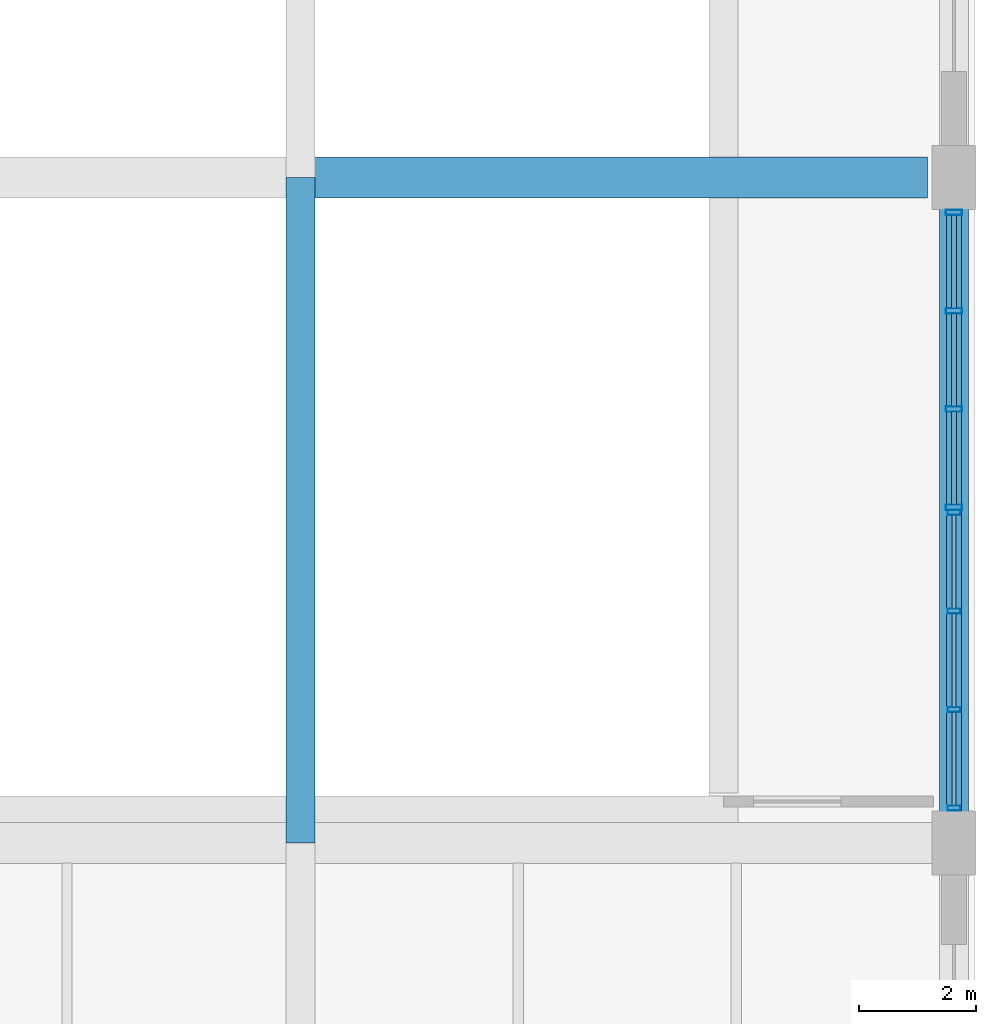
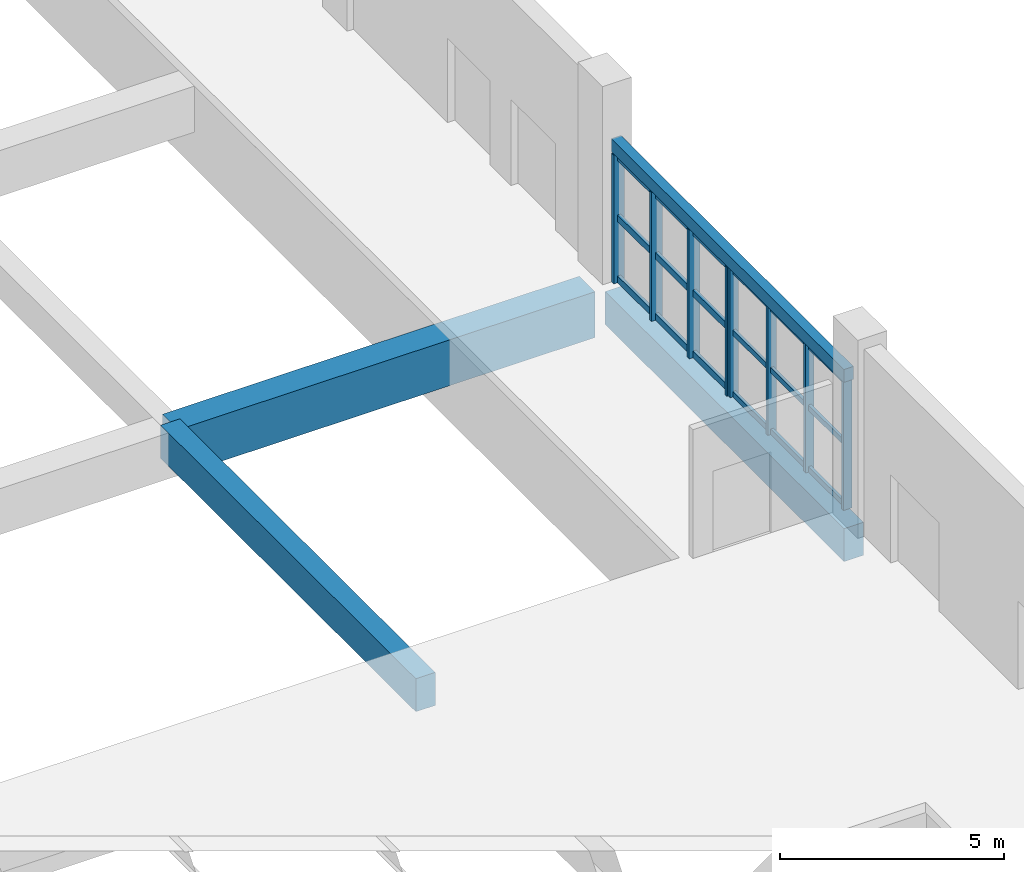
# One storey, part 62 of 113: 26 members, 4 beams, 2 elements without a shape of their own.
"""IFC4 building model written with IfcOpenShell, lengths in metres."""

from ifc_helpers import new_model, si_unit, direction, frame, origin, origin_2d, place, context, subcontext, project, spatial, rectangle, hollow_rectangle, extrude, material, layer, layer_set, material_profile, profile_set, type_object, element, aggregate, save


model = new_model("IFC4")

# Units and contexts
model_context = context("Model", 3, precision=1e-05, world=origin(), true_north=direction((0.0, 1.0)))
body_context = subcontext(model_context, "Body", "Model", "MODEL_VIEW")
ifc_project = project(units=[si_unit("LENGTHUNIT", "METRE"), si_unit("AREAUNIT", "SQUARE_METRE"), si_unit("VOLUMEUNIT", "CUBIC_METRE"), si_unit("PLANEANGLEUNIT", "RADIAN"), si_unit("MASSUNIT", "GRAM", prefix="KILO"), si_unit("POWERUNIT", "WATT"), si_unit("THERMODYNAMICTEMPERATUREUNIT", "KELVIN")], contexts=[model_context])

# Site, building, storey
site_placement = place(None, origin())
site = spatial("IfcSite", under=ifc_project, at=site_placement, CompositionType="ELEMENT")
building_placement = place(site_placement, origin())
building = spatial("IfcBuilding", under=site, at=building_placement, Name="Kelmbourne Parkland Aquatics Centre", CompositionType="ELEMENT")
storey_placement = place(building_placement, origin())
storey = spatial("IfcBuildingStorey", under=building, at=storey_placement, Name="L00", CompositionType="ELEMENT", Elevation=0.0)

# Beams
ifc_material_1 = material(Name="Concrete C40/50", Category="concrete")
ifc_material_profile_1 = material_profile(ifc_material_1, rectangle(XDim=0.5, YDim=0.89990234375, at=origin_2d()), Name="RC 500x900")
ifc_profile_set_1 = profile_set([ifc_material_profile_1], Name="Concrete C40/50")
beam_type_1 = type_object("IfcBeamType", Name="BM-G03", PredefinedType="BEAM", material=ifc_profile_set_1)
beam_1_placement = place(storey_placement, frame((164.0, 35.0, -0.72998046875), z_axis=(0.0, 1.0, 0.0), x_axis=(-1.0, 0.0, 0.0)))
element("IfcBeam", 1, at=beam_1_placement, inside=storey, type_object=beam_type_1, Name="Primary girder 05-06 Grid S (L00)", PredefinedType="BEAM", context=body_context, shape_type="SweptSolid", body=[
    extrude(rectangle(XDim=0.5, YDim=0.89990234375, at=origin_2d()), origin(), (0.0, 0.0, 1.0), 11.39990234375),
])
beam_2_placement = place(storey_placement, frame((175.199951171875, 35.280029296875, -0.72998046875), z_axis=(0.0, 1.0, 0.0), x_axis=(-1.0, 0.0, 0.0)))
element("IfcBeam", 2, at=beam_2_placement, inside=storey, type_object=beam_type_1, Name="Primary girder 05-06 Grid T (L00)", PredefinedType="BEAM", context=body_context, shape_type="SweptSolid", body=[
    extrude(rectangle(XDim=0.5, YDim=0.89990234375, at=origin_2d()), origin(), (0.0, 0.0, 1.0), 10.6650390625),
])
ifc_material_2 = material(Name="Concrete C50/60", Category="concrete")
ifc_material_profile_2 = material_profile(ifc_material_2, rectangle(XDim=0.699951171875, YDim=1.25, at=origin_2d()), Name="RC 700x1250")
ifc_profile_set_2 = profile_set([ifc_material_profile_2], Name="Concrete C50/60")
beam_type_2 = type_object("IfcBeamType", Name="BM-G08", PredefinedType="BEAM", material=ifc_profile_set_2)
beam_3_placement = place(storey_placement, frame((164.0, 46.39990234375, -0.905029296875), z_axis=(1.0, 0.0, 0.0), x_axis=(0.0, 1.0, 0.0)))
element("IfcBeam", 3, at=beam_3_placement, inside=storey, type_object=beam_type_2, Name="Primary girder S-T Grid 06 (L00)", PredefinedType="BEAM", context=body_context, shape_type="SweptSolid", body=[
    extrude(rectangle(XDim=0.699951171875, YDim=1.25, at=origin_2d()), origin(), (0.0, 0.0, 1.0), 10.7451171875),
])
ifc_material_3 = material(Name="Structural steel AS/NZS 3679.1 Grade 300", Category="steel")
ifc_material_profile_3 = material_profile(ifc_material_3, rectangle(XDim=0.25, YDim=0.35009765625, at=origin_2d()), Name="LNT 250x350")
ifc_profile_set_3 = profile_set([ifc_material_profile_3], Name="Structural steel AS/NZS 3679.1 Grade 300")
beam_type_3 = type_object("IfcBeamType", Name="BM-LN01", PredefinedType="LINTEL", material=ifc_profile_set_3)
beam_4_placement = place(storey_placement, frame((175.199951171875, 35.5048828125, 3.699951171875), z_axis=(0.0, 1.0, 0.0), x_axis=(-1.0, 0.0, 0.0)))
element("IfcBeam", 4, at=beam_4_placement, inside=storey, type_object=beam_type_3, Name="Masonry opening lintel E-06", PredefinedType="LINTEL", context=body_context, shape_type="SweptSolid", body=[
    extrude(rectangle(XDim=0.25, YDim=0.35009765625, at=origin_2d()), origin(), (0.0, 0.0, 1.0), 10.39013671875),
])

# Curtain wall, members
ifc_material_4 = material(Name="Thermally broken anodised aluminium framing", Category="aluminium")
ifc_layer_1 = layer(ifc_material_4, 0.179931640625)
ifc_layer_set_1 = layer_set([ifc_layer_1], Name="Thermally broken anodised aluminium framing")
curtain_wall_type_1 = type_object("IfcCurtainWallType", Name="CW-13", PredefinedType="NOTDEFINED", material=ifc_layer_set_1)
curtain_wall_1_placement = place(storey_placement, origin())
curtain_wall_1 = element("IfcCurtainWall", 5, at=curtain_wall_1_placement, inside=storey, type_object=curtain_wall_type_1, Name="Facade curtain wall CW-L00-037", PredefinedType="NOTDEFINED")
ifc_material_profile_4 = material_profile(ifc_material_4, hollow_rectangle(XDim=0.0849609375, YDim=0.219970703125, WallThickness=0.0048828125, at=origin_2d()), Name="CW-M 85x220")
ifc_profile_set_4 = profile_set([ifc_material_profile_4], Name="Thermally broken anodised aluminium framing")
member_type_1 = type_object("IfcMemberType", Name="MB-MUL-3", PredefinedType="MULLION", material=ifc_profile_set_4)
member_1_placement = place(storey_placement, frame((175.199951171875, 35.594482421875, 0.0), z_axis=(0.0, 0.0, 1.0), x_axis=(0.0, 1.0, 0.0)))
member_1 = element("IfcMember", 6, at=member_1_placement, type_object=member_type_1, Name="CW-L00-037 mullion 0", PredefinedType="MULLION", context=body_context, shape_type="SweptSolid", body=[
    extrude(hollow_rectangle(XDim=0.0849609375, YDim=0.219970703125, WallThickness=0.0048828125, at=origin_2d()), origin(), (0.0, 0.0, 1.0), 3.510009765625),
])
member_2_placement = place(storey_placement, frame((175.199951171875, 37.2822265625, 0.0), z_axis=(0.0, 0.0, 1.0), x_axis=(0.0, 1.0, 0.0)))
member_2 = element("IfcMember", 7, at=member_2_placement, type_object=member_type_1, Name="CW-L00-037 mullion 1", PredefinedType="MULLION", context=body_context, shape_type="SweptSolid", body=[
    extrude(hollow_rectangle(XDim=0.0849609375, YDim=0.219970703125, WallThickness=0.0048828125, at=origin_2d()), origin(), (0.0, 0.0, 1.0), 3.510009765625),
])
member_3_placement = place(storey_placement, frame((175.199951171875, 38.9697265625, 0.0), z_axis=(0.0, 0.0, 1.0), x_axis=(0.0, 1.0, 0.0)))
member_3 = element("IfcMember", 8, at=member_3_placement, type_object=member_type_1, Name="CW-L00-037 mullion 2", PredefinedType="MULLION", context=body_context, shape_type="SweptSolid", body=[
    extrude(hollow_rectangle(XDim=0.0849609375, YDim=0.219970703125, WallThickness=0.0048828125, at=origin_2d()), origin(), (0.0, 0.0, 1.0), 3.510009765625),
])
member_4_placement = place(storey_placement, frame((175.199951171875, 40.657470703125, 0.0), z_axis=(0.0, 0.0, 1.0), x_axis=(0.0, 1.0, 0.0)))
member_4 = element("IfcMember", 9, at=member_4_placement, type_object=member_type_1, Name="CW-L00-037 mullion 3", PredefinedType="MULLION", context=body_context, shape_type="SweptSolid", body=[
    extrude(hollow_rectangle(XDim=0.0849609375, YDim=0.219970703125, WallThickness=0.0048828125, at=origin_2d()), origin(), (0.0, 0.0, 1.0), 3.510009765625),
])

ifc_layer_2 = layer(ifc_material_4, 0.179931640625)
ifc_layer_set_2 = layer_set([ifc_layer_2], Name="Thermally broken anodised aluminium framing")
curtain_wall_type_2 = type_object("IfcCurtainWallType", Name="CW-14", PredefinedType="NOTDEFINED", material=ifc_layer_set_2)
curtain_wall_2_placement = place(storey_placement, origin())
curtain_wall_2 = element("IfcCurtainWall", 10, at=curtain_wall_2_placement, inside=storey, type_object=curtain_wall_type_2, Name="Facade curtain wall CW-L00-038", PredefinedType="NOTDEFINED")
ifc_material_profile_5 = material_profile(ifc_material_4, hollow_rectangle(XDim=0.094970703125, YDim=0.280029296875, WallThickness=0.005615234375, at=origin_2d()), Name="CW-M 95x280")
ifc_profile_set_5 = profile_set([ifc_material_profile_5], Name="Thermally broken anodised aluminium framing")
member_type_2 = type_object("IfcMemberType", Name="MB-MUL-4", PredefinedType="MULLION", material=ifc_profile_set_5)
member_5_placement = place(storey_placement, frame((175.199951171875, 40.74755859375, 0.0), z_axis=(0.0, 0.0, 1.0), x_axis=(0.0, 1.0, 0.0)))
member_5 = element("IfcMember", 11, at=member_5_placement, type_object=member_type_2, Name="CW-L00-038 mullion 0", PredefinedType="MULLION", context=body_context, shape_type="SweptSolid", body=[
    extrude(hollow_rectangle(XDim=0.094970703125, YDim=0.280029296875, WallThickness=0.005615234375, at=origin_2d()), origin(), (0.0, 0.0, 1.0), 3.510009765625),
])
member_6_placement = place(storey_placement, frame((175.199951171875, 42.431884765625, 0.0), z_axis=(0.0, 0.0, 1.0), x_axis=(0.0, 1.0, 0.0)))
member_6 = element("IfcMember", 12, at=member_6_placement, type_object=member_type_2, Name="CW-L00-038 mullion 1", PredefinedType="MULLION", context=body_context, shape_type="SweptSolid", body=[
    extrude(hollow_rectangle(XDim=0.094970703125, YDim=0.280029296875, WallThickness=0.005615234375, at=origin_2d()), origin(), (0.0, 0.0, 1.0), 3.510009765625),
])
member_7_placement = place(storey_placement, frame((175.199951171875, 44.1162109375, 0.0), z_axis=(0.0, 0.0, 1.0), x_axis=(0.0, 1.0, 0.0)))
member_7 = element("IfcMember", 13, at=member_7_placement, type_object=member_type_2, Name="CW-L00-038 mullion 2", PredefinedType="MULLION", context=body_context, shape_type="SweptSolid", body=[
    extrude(hollow_rectangle(XDim=0.094970703125, YDim=0.280029296875, WallThickness=0.005615234375, at=origin_2d()), origin(), (0.0, 0.0, 1.0), 3.510009765625),
])
member_8_placement = place(storey_placement, frame((175.199951171875, 45.800537109375, 0.0), z_axis=(0.0, 0.0, 1.0), x_axis=(0.0, 1.0, 0.0)))
member_8 = element("IfcMember", 14, at=member_8_placement, type_object=member_type_2, Name="CW-L00-038 mullion 3", PredefinedType="MULLION", context=body_context, shape_type="SweptSolid", body=[
    extrude(hollow_rectangle(XDim=0.094970703125, YDim=0.280029296875, WallThickness=0.005615234375, at=origin_2d()), origin(), (0.0, 0.0, 1.0), 3.510009765625),
])

# Member
ifc_material_profile_6 = material_profile(ifc_material_4, hollow_rectangle(XDim=0.074951171875, YDim=0.14990234375, WallThickness=0.00390625, at=origin_2d()), Name="CW-T 75x150")
ifc_profile_set_6 = profile_set([ifc_material_profile_6], Name="Thermally broken anodised aluminium framing")
member_type_3 = type_object("IfcMemberType", Name="MB-TRN-2", PredefinedType="USERDEFINED", material=ifc_profile_set_6)
member_9_placement = place(storey_placement, frame((175.199951171875, 35.633056640625, 0.077880859375), z_axis=(0.0, 1.0, 0.0), x_axis=(-1.0, 0.0, 0.0)))
member_9 = element("IfcMember", 15, at=member_9_placement, type_object=member_type_3, Name="CW-L00-037 transom 0-0", ObjectType="TRANSOM", PredefinedType="USERDEFINED", context=body_context, shape_type="SweptSolid", body=[
    extrude(hollow_rectangle(XDim=0.074951171875, YDim=0.14990234375, WallThickness=0.00390625, at=origin_2d()), origin(), (0.0, 0.0, 1.0), 1.610595703125),
])

member_10_placement = place(storey_placement, frame((175.199951171875, 37.32080078125, 0.077880859375), z_axis=(0.0, 1.0, 0.0), x_axis=(-1.0, 0.0, 0.0)))
member_10 = element("IfcMember", 16, at=member_10_placement, type_object=member_type_3, Name="CW-L00-037 transom 0-1", ObjectType="TRANSOM", PredefinedType="USERDEFINED", context=body_context, shape_type="SweptSolid", body=[
    extrude(hollow_rectangle(XDim=0.074951171875, YDim=0.14990234375, WallThickness=0.00390625, at=origin_2d()), origin(), (0.0, 0.0, 1.0), 1.610595703125),
])

member_11_placement = place(storey_placement, frame((175.199951171875, 39.00830078125, 0.077880859375), z_axis=(0.0, 1.0, 0.0), x_axis=(-1.0, 0.0, 0.0)))
member_11 = element("IfcMember", 17, at=member_11_placement, type_object=member_type_3, Name="CW-L00-037 transom 0-2", ObjectType="TRANSOM", PredefinedType="USERDEFINED", context=body_context, shape_type="SweptSolid", body=[
    extrude(hollow_rectangle(XDim=0.074951171875, YDim=0.14990234375, WallThickness=0.00390625, at=origin_2d()), origin(), (0.0, 0.0, 1.0), 1.610595703125),
])

member_12_placement = place(storey_placement, frame((175.199951171875, 35.633056640625, 1.7548828125), z_axis=(0.0, 1.0, 0.0), x_axis=(-1.0, 0.0, 0.0)))
member_12 = element("IfcMember", 18, at=member_12_placement, type_object=member_type_3, Name="CW-L00-037 transom 1-0", ObjectType="TRANSOM", PredefinedType="USERDEFINED", context=body_context, shape_type="SweptSolid", body=[
    extrude(hollow_rectangle(XDim=0.074951171875, YDim=0.14990234375, WallThickness=0.00390625, at=origin_2d()), origin(), (0.0, 0.0, 1.0), 1.610595703125),
])

member_13_placement = place(storey_placement, frame((175.199951171875, 37.32080078125, 1.7548828125), z_axis=(0.0, 1.0, 0.0), x_axis=(-1.0, 0.0, 0.0)))
member_13 = element("IfcMember", 19, at=member_13_placement, type_object=member_type_3, Name="CW-L00-037 transom 1-1", ObjectType="TRANSOM", PredefinedType="USERDEFINED", context=body_context, shape_type="SweptSolid", body=[
    extrude(hollow_rectangle(XDim=0.074951171875, YDim=0.14990234375, WallThickness=0.00390625, at=origin_2d()), origin(), (0.0, 0.0, 1.0), 1.610595703125),
])

member_14_placement = place(storey_placement, frame((175.199951171875, 39.00830078125, 1.7548828125), z_axis=(0.0, 1.0, 0.0), x_axis=(-1.0, 0.0, 0.0)))
member_14 = element("IfcMember", 20, at=member_14_placement, type_object=member_type_3, Name="CW-L00-037 transom 1-2", ObjectType="TRANSOM", PredefinedType="USERDEFINED", context=body_context, shape_type="SweptSolid", body=[
    extrude(hollow_rectangle(XDim=0.074951171875, YDim=0.14990234375, WallThickness=0.00390625, at=origin_2d()), origin(), (0.0, 0.0, 1.0), 1.610595703125),
])

member_15_placement = place(storey_placement, frame((175.199951171875, 35.633056640625, 3.431884765625), z_axis=(0.0, 1.0, 0.0), x_axis=(-1.0, 0.0, 0.0)))
member_15 = element("IfcMember", 21, at=member_15_placement, type_object=member_type_3, Name="CW-L00-037 transom 2-0", ObjectType="TRANSOM", PredefinedType="USERDEFINED", context=body_context, shape_type="SweptSolid", body=[
    extrude(hollow_rectangle(XDim=0.074951171875, YDim=0.14990234375, WallThickness=0.00390625, at=origin_2d()), origin(), (0.0, 0.0, 1.0), 1.610595703125),
])

member_16_placement = place(storey_placement, frame((175.199951171875, 37.32080078125, 3.431884765625), z_axis=(0.0, 1.0, 0.0), x_axis=(-1.0, 0.0, 0.0)))
member_16 = element("IfcMember", 22, at=member_16_placement, type_object=member_type_3, Name="CW-L00-037 transom 2-1", ObjectType="TRANSOM", PredefinedType="USERDEFINED", context=body_context, shape_type="SweptSolid", body=[
    extrude(hollow_rectangle(XDim=0.074951171875, YDim=0.14990234375, WallThickness=0.00390625, at=origin_2d()), origin(), (0.0, 0.0, 1.0), 1.610595703125),
])

member_17_placement = place(storey_placement, frame((175.199951171875, 39.00830078125, 3.431884765625), z_axis=(0.0, 1.0, 0.0), x_axis=(-1.0, 0.0, 0.0)))
member_17 = element("IfcMember", 23, at=member_17_placement, type_object=member_type_3, Name="CW-L00-037 transom 2-2", ObjectType="TRANSOM", PredefinedType="USERDEFINED", context=body_context, shape_type="SweptSolid", body=[
    extrude(hollow_rectangle(XDim=0.074951171875, YDim=0.14990234375, WallThickness=0.00390625, at=origin_2d()), origin(), (0.0, 0.0, 1.0), 1.610595703125),
])

aggregate(curtain_wall_1, [member_1, member_2, member_3, member_4, member_9, member_10, member_11, member_12, member_13, member_14, member_15, member_16, member_17])

ifc_material_profile_7 = material_profile(ifc_material_4, hollow_rectangle(XDim=0.0849609375, YDim=0.179931640625, WallThickness=0.00439453125, at=origin_2d()), Name="CW-T 85x180")
ifc_profile_set_7 = profile_set([ifc_material_profile_7], Name="Thermally broken anodised aluminium framing")
member_type_4 = type_object("IfcMemberType", Name="MB-TRN-3", PredefinedType="USERDEFINED", material=ifc_profile_set_7)
member_18_placement = place(storey_placement, frame((175.199951171875, 40.791015625, 0.093017578125), z_axis=(0.0, 1.0, 0.0), x_axis=(-1.0, 0.0, 0.0)))
member_18 = element("IfcMember", 24, at=member_18_placement, type_object=member_type_4, Name="CW-L00-038 transom 0-0", ObjectType="TRANSOM", PredefinedType="USERDEFINED", context=body_context, shape_type="SweptSolid", body=[
    extrude(hollow_rectangle(XDim=0.0849609375, YDim=0.179931640625, WallThickness=0.00439453125, at=origin_2d()), origin(), (0.0, 0.0, 1.0), 1.59716796875),
])

member_19_placement = place(storey_placement, frame((175.199951171875, 42.475341796875, 0.093017578125), z_axis=(0.0, 1.0, 0.0), x_axis=(-1.0, 0.0, 0.0)))
member_19 = element("IfcMember", 25, at=member_19_placement, type_object=member_type_4, Name="CW-L00-038 transom 0-1", ObjectType="TRANSOM", PredefinedType="USERDEFINED", context=body_context, shape_type="SweptSolid", body=[
    extrude(hollow_rectangle(XDim=0.0849609375, YDim=0.179931640625, WallThickness=0.00439453125, at=origin_2d()), origin(), (0.0, 0.0, 1.0), 1.597412109375),
])

member_20_placement = place(storey_placement, frame((175.199951171875, 44.15966796875, 0.093017578125), z_axis=(0.0, 1.0, 0.0), x_axis=(-1.0, 0.0, 0.0)))
member_20 = element("IfcMember", 26, at=member_20_placement, type_object=member_type_4, Name="CW-L00-038 transom 0-2", ObjectType="TRANSOM", PredefinedType="USERDEFINED", context=body_context, shape_type="SweptSolid", body=[
    extrude(hollow_rectangle(XDim=0.0849609375, YDim=0.179931640625, WallThickness=0.00439453125, at=origin_2d()), origin(), (0.0, 0.0, 1.0), 1.597412109375),
])

member_21_placement = place(storey_placement, frame((175.199951171875, 40.791015625, 1.7548828125), z_axis=(0.0, 1.0, 0.0), x_axis=(-1.0, 0.0, 0.0)))
member_21 = element("IfcMember", 27, at=member_21_placement, type_object=member_type_4, Name="CW-L00-038 transom 1-0", ObjectType="TRANSOM", PredefinedType="USERDEFINED", context=body_context, shape_type="SweptSolid", body=[
    extrude(hollow_rectangle(XDim=0.0849609375, YDim=0.179931640625, WallThickness=0.00439453125, at=origin_2d()), origin(), (0.0, 0.0, 1.0), 1.59716796875),
])

member_22_placement = place(storey_placement, frame((175.199951171875, 42.475341796875, 1.7548828125), z_axis=(0.0, 1.0, 0.0), x_axis=(-1.0, 0.0, 0.0)))
member_22 = element("IfcMember", 28, at=member_22_placement, type_object=member_type_4, Name="CW-L00-038 transom 1-1", ObjectType="TRANSOM", PredefinedType="USERDEFINED", context=body_context, shape_type="SweptSolid", body=[
    extrude(hollow_rectangle(XDim=0.0849609375, YDim=0.179931640625, WallThickness=0.00439453125, at=origin_2d()), origin(), (0.0, 0.0, 1.0), 1.597412109375),
])

member_23_placement = place(storey_placement, frame((175.199951171875, 44.15966796875, 1.7548828125), z_axis=(0.0, 1.0, 0.0), x_axis=(-1.0, 0.0, 0.0)))
member_23 = element("IfcMember", 29, at=member_23_placement, type_object=member_type_4, Name="CW-L00-038 transom 1-2", ObjectType="TRANSOM", PredefinedType="USERDEFINED", context=body_context, shape_type="SweptSolid", body=[
    extrude(hollow_rectangle(XDim=0.0849609375, YDim=0.179931640625, WallThickness=0.00439453125, at=origin_2d()), origin(), (0.0, 0.0, 1.0), 1.597412109375),
])

member_24_placement = place(storey_placement, frame((175.199951171875, 40.791015625, 3.4169921875), z_axis=(0.0, 1.0, 0.0), x_axis=(-1.0, 0.0, 0.0)))
member_24 = element("IfcMember", 30, at=member_24_placement, type_object=member_type_4, Name="CW-L00-038 transom 2-0", ObjectType="TRANSOM", PredefinedType="USERDEFINED", context=body_context, shape_type="SweptSolid", body=[
    extrude(hollow_rectangle(XDim=0.0849609375, YDim=0.179931640625, WallThickness=0.00439453125, at=origin_2d()), origin(), (0.0, 0.0, 1.0), 1.59716796875),
])

member_25_placement = place(storey_placement, frame((175.199951171875, 42.475341796875, 3.4169921875), z_axis=(0.0, 1.0, 0.0), x_axis=(-1.0, 0.0, 0.0)))
member_25 = element("IfcMember", 31, at=member_25_placement, type_object=member_type_4, Name="CW-L00-038 transom 2-1", ObjectType="TRANSOM", PredefinedType="USERDEFINED", context=body_context, shape_type="SweptSolid", body=[
    extrude(hollow_rectangle(XDim=0.0849609375, YDim=0.179931640625, WallThickness=0.00439453125, at=origin_2d()), origin(), (0.0, 0.0, 1.0), 1.597412109375),
])

member_26_placement = place(storey_placement, frame((175.199951171875, 44.15966796875, 3.4169921875), z_axis=(0.0, 1.0, 0.0), x_axis=(-1.0, 0.0, 0.0)))
member_26 = element("IfcMember", 32, at=member_26_placement, type_object=member_type_4, Name="CW-L00-038 transom 2-2", ObjectType="TRANSOM", PredefinedType="USERDEFINED", context=body_context, shape_type="SweptSolid", body=[
    extrude(hollow_rectangle(XDim=0.0849609375, YDim=0.179931640625, WallThickness=0.00439453125, at=origin_2d()), origin(), (0.0, 0.0, 1.0), 1.597412109375),
])

aggregate(curtain_wall_2, [member_5, member_6, member_7, member_8, member_18, member_19, member_20, member_21, member_22, member_23, member_24, member_25, member_26])

save(model, "model.ifc")
